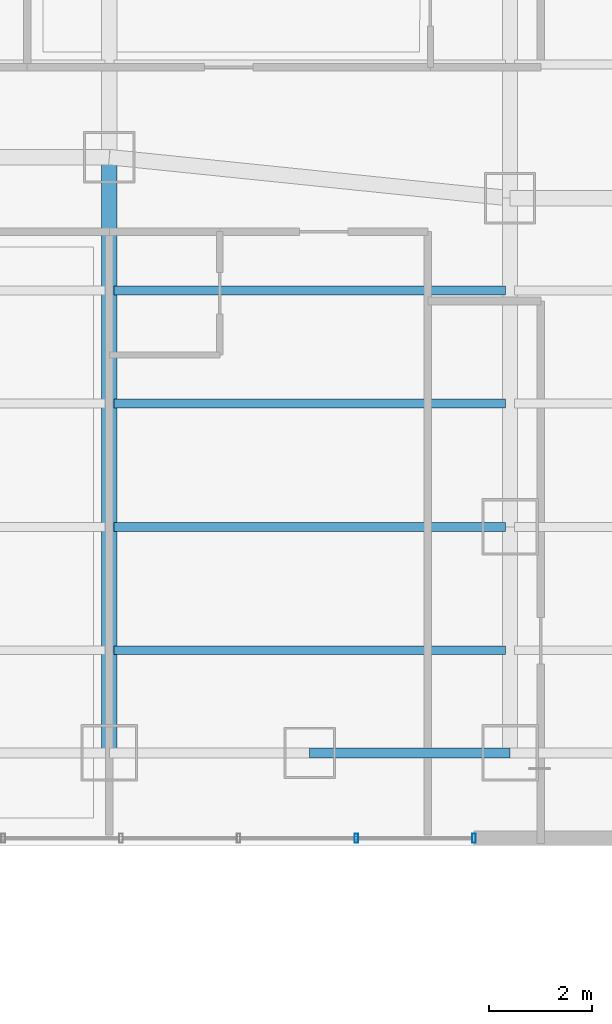
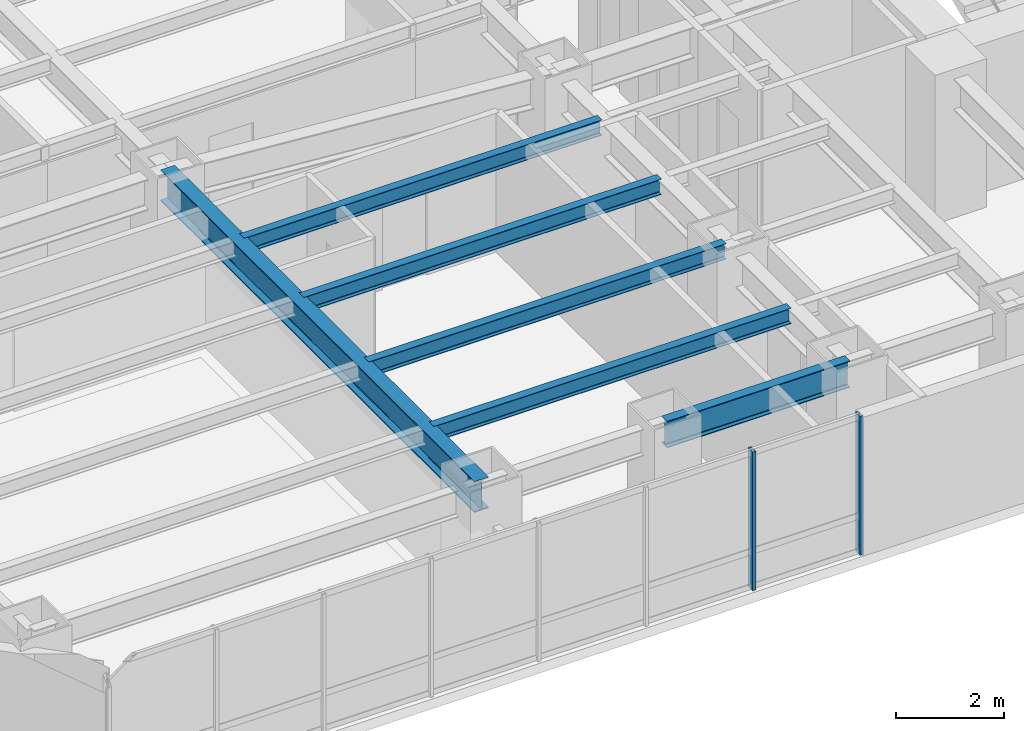
# One storey, part 6 of 37: 6 beams, 2 members, 1 element without a shape of its own.
"""IFC4 building model written with IfcOpenShell, lengths in metres."""

from ifc_helpers import new_model, si_unit, direction, frame, origin, origin_2d, place, context, subcontext, project, spatial, hollow_rectangle, i_section, extrude, material, layer, layer_set, material_profile, profile_set, type_object, element, aggregate, save


model = new_model("IFC4")

# Units and contexts
model_context = context("Model", 3, precision=1e-05, world=origin(), true_north=direction((0.0, 1.0)))
body_context = subcontext(model_context, "Body", "Model", "MODEL_VIEW")
ifc_project = project(units=[si_unit("LENGTHUNIT", "METRE"), si_unit("AREAUNIT", "SQUARE_METRE"), si_unit("VOLUMEUNIT", "CUBIC_METRE"), si_unit("PLANEANGLEUNIT", "RADIAN"), si_unit("MASSUNIT", "GRAM", prefix="KILO")], contexts=[model_context])

# Site, building, storey
site_placement = place(None, origin())
site = spatial("IfcSite", under=ifc_project, at=site_placement, CompositionType="ELEMENT")
building_placement = place(site_placement, origin())
building = spatial("IfcBuilding", under=site, at=building_placement, Name="Hatsunagi Terrace Concourse", CompositionType="ELEMENT")
storey_placement = place(building_placement, frame((0.0, 0.0, 39.949951171875)))
storey = spatial("IfcBuildingStorey", under=building, at=storey_placement, Name="L09", CompositionType="ELEMENT", Elevation=39.949951171875)

# Curtain wall, members
ifc_material_1 = material(Name="Anodised Aluminium Alloy 6063-T5", Category="aluminium")
ifc_layer = layer(ifc_material_1, 0.199951171875)
ifc_layer_set = layer_set([ifc_layer], Name="HotelFacade_CW02")
curtain_wall_type = type_object("IfcCurtainWallType", Name="HotelFacade_CW02", PredefinedType="NOTDEFINED", material=ifc_layer_set)
curtain_wall_placement = place(storey_placement, origin())
curtain_wall = element("IfcCurtainWall", 1, at=curtain_wall_placement, inside=storey, type_object=curtain_wall_type, Name="Unitised Curtain Wall CW-02 CW-L09-07", PredefinedType="NOTDEFINED")
ifc_material_2 = material(Name="Anodised Aluminium Alloy 6063-T5", Category="aluminium")
ifc_material_profile_1 = material_profile(ifc_material_2, hollow_rectangle(XDim=0.070068359375, YDim=0.179931640625, WallThickness=0.00390625, at=origin_2d()), Name="ALU-MUL-180x70x4")
ifc_profile_set_1 = profile_set([ifc_material_profile_1], Name="Anodised Aluminium Alloy 6063-T5")
member_type = type_object("IfcMemberType", Name="CurtainWallMullion_180x70", PredefinedType="MULLION", material=ifc_profile_set_1)
member_1_placement = place(storey_placement, frame((18.5, 23.5400390625, 0.0), z_axis=(0.0, 0.0, 1.0), x_axis=(-1.0, 0.0, 0.0)))
member_1 = element("IfcMember", 2, at=member_1_placement, type_object=member_type, Name="Curtain Wall Mullion MUL-02", PredefinedType="MULLION", context=body_context, shape_type="SweptSolid", body=[
    extrude(hollow_rectangle(XDim=0.070068359375, YDim=0.179931640625, WallThickness=0.00390625, at=origin_2d()), origin(), (0.0, 0.0, 1.0), 3.130126953125),
])
member_2_placement = place(storey_placement, frame((16.2080078125, 23.5400390625, 0.0), z_axis=(0.0, 0.0, 1.0), x_axis=(-1.0, 0.0, 0.0)))
member_2 = element("IfcMember", 3, at=member_2_placement, type_object=member_type, Name="Curtain Wall Mullion MUL-02", PredefinedType="MULLION", context=body_context, shape_type="SweptSolid", body=[
    extrude(hollow_rectangle(XDim=0.070068359375, YDim=0.179931640625, WallThickness=0.00390625, at=origin_2d()), origin(), (0.0, 0.0, 1.0), 3.130126953125),
])
aggregate(curtain_wall, [member_1, member_2])

# Beams
ifc_material_3 = material(Name="Steel SN490B", Category="steel")
ifc_material_profile_2 = material_profile(ifc_material_3, i_section(OverallWidth=0.300048828125, OverallDepth=0.699951171875, WebThickness=0.012939453125, FlangeThickness=0.02392578125, FilletRadius=0.02197265625, at=origin_2d()), Name="H-700x300x13x24")
ifc_profile_set_2 = profile_set([ifc_material_profile_2], Name="Steel SN490B")
beam_type_1 = type_object("IfcBeamType", Name="HotelFloorGirder_H_700x300", PredefinedType="BEAM", material=ifc_profile_set_2)
beam_1_placement = place(storey_placement, frame((11.39990234375, 25.199951171875, 2.780029296875), z_axis=(0.0, 1.0, 0.0), x_axis=(-1.0, 0.0, 0.0)))
element("IfcBeam", 4, at=beam_1_placement, inside=storey, type_object=beam_type_1, Name="Beam G-04 BM-L09-NS-11-25", PredefinedType="BEAM", context=body_context, shape_type="SweptSolid", body=[
    extrude(i_section(OverallWidth=0.300048828125, OverallDepth=0.699951171875, WebThickness=0.012939453125, FlangeThickness=0.02392578125, FilletRadius=0.02197265625, at=origin_2d()), origin(), (0.0, 0.0, 1.0), 11.60009765625),
])
ifc_material_4 = material(Name="Steel SN490B", Category="steel")
ifc_material_profile_3 = material_profile(ifc_material_4, i_section(OverallWidth=0.175048828125, OverallDepth=0.35009765625, WebThickness=0.007080078125, FlangeThickness=0.010986328125, FilletRadius=0.012939453125, at=origin_2d()), Name="H-350x175x7x11")
ifc_profile_set_3 = profile_set([ifc_material_profile_3], Name="Steel SN490B")
beam_type_2 = type_object("IfcBeamType", Name="HotelJoist_H_350x175", PredefinedType="JOIST", material=ifc_profile_set_3)
for number, where, z_axis, x_axis, name in (
    (5, (11.485107421875, 27.199951171875, 2.955078125), (1.0, 0.0, 0.0), (0.0, 1.0, 0.0), "Beam J-02 J-L09-W-11-272"),
    (6, (11.485107421875, 29.60009765625, 2.955078125), (1.0, 0.0, 0.0), (0.0, 1.0, 0.0), "Beam J-02 J-L09-W-11-296"),
    (7, (11.485107421875, 32.0, 2.955078125), (1.0, 0.0, 0.0), (0.0, 1.0, 0.0), "Beam J-02 J-L09-W-11-320"),
    (8, (11.485107421875, 34.199951171875, 2.955078125), (1.0, 0.0, 0.0), (0.0, 1.0, 0.0), "Beam J-02 J-L09-W-11-342"),
):
    element("IfcBeam", number, at=place(storey_placement, frame(where, z_axis=z_axis, x_axis=x_axis)), inside=storey, type_object=beam_type_2, Name=name, PredefinedType="JOIST", context=body_context, shape_type="SweptSolid", body=[
        extrude(i_section(OverallWidth=0.175048828125, OverallDepth=0.35009765625, WebThickness=0.007080078125, FlangeThickness=0.010986328125, FilletRadius=0.012939453125, at=origin_2d()), origin(), (0.0, 0.0, 1.0), 7.6298828125),
    ])
ifc_material_5 = material(Name="Steel SN490B", Category="steel")
ifc_material_profile_4 = material_profile(ifc_material_5, i_section(OverallWidth=0.199951171875, OverallDepth=0.60009765625, WebThickness=0.010986328125, FlangeThickness=0.01708984375, FilletRadius=0.01806640625, at=origin_2d()), Name="H-600x200x11x17")
ifc_profile_set_4 = profile_set([ifc_material_profile_4], Name="Steel SN490B")
beam_type_3 = type_object("IfcBeamType", Name="PerimeterSpandrel_H_600x200", PredefinedType="SPANDREL", material=ifc_profile_set_4)
beam_2_placement = place(storey_placement, frame((15.300048828125, 25.199951171875, 2.830078125), z_axis=(1.0, 0.0, 0.0), x_axis=(0.0, 1.0, 0.0)))
element("IfcBeam", 9, at=beam_2_placement, inside=storey, type_object=beam_type_3, Name="Beam SP-01 BM-L09-WS-15", PredefinedType="SPANDREL", context=body_context, shape_type="SweptSolid", body=[
    extrude(i_section(OverallWidth=0.199951171875, OverallDepth=0.60009765625, WebThickness=0.010986328125, FlangeThickness=0.01708984375, FilletRadius=0.01806640625, at=origin_2d()), origin(), (0.0, 0.0, 1.0), 3.89990234375),
])

save(model, "model.ifc")
